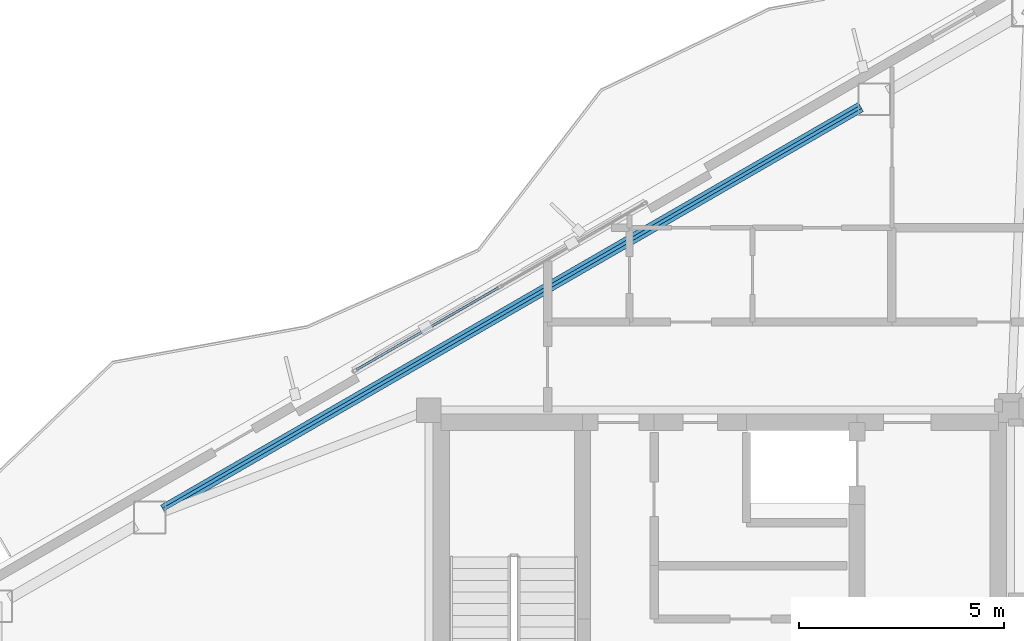
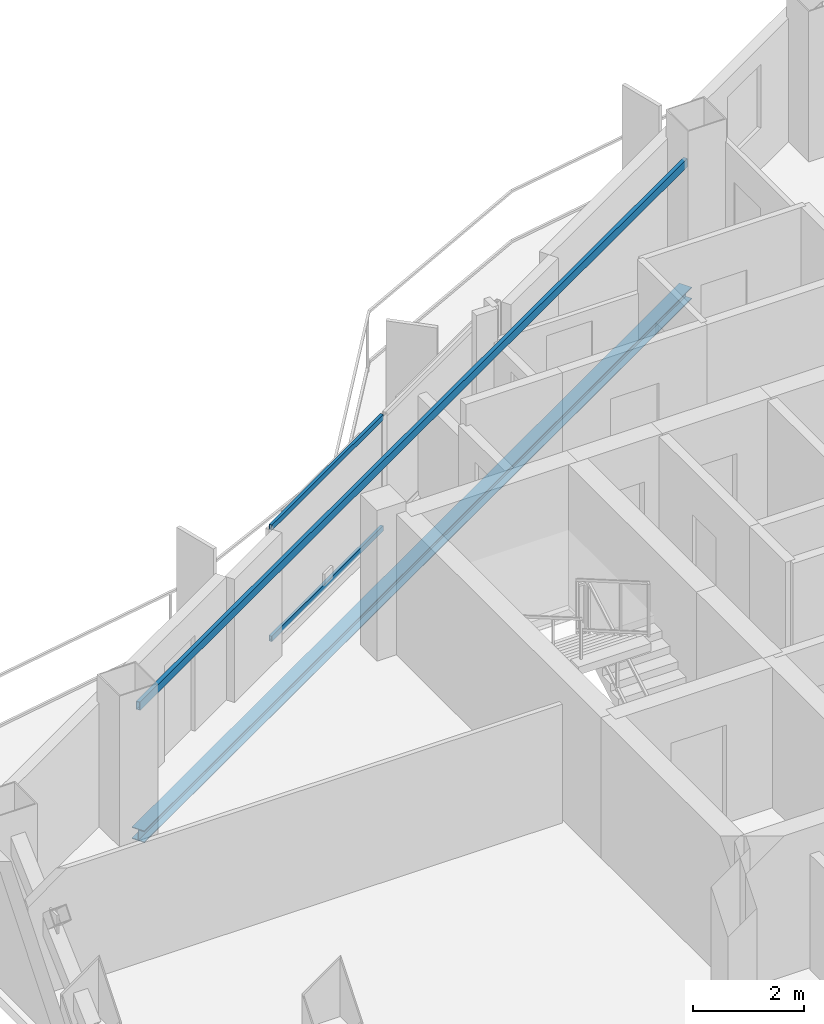
# One storey, part 9 of 18: 2 beams, 2 members, 1 element without a shape of its own.
"""IFC4 building model written with IfcOpenShell, lengths in metres."""

import ifcopenshell
import ifcopenshell.guid

model = None  # the IFC model being written
_history = None  # IfcOwnerHistory: only IFC2X3 demands one
_inside = {}  # id of a spatial element -> (the spatial element, [elements in it])
_under = {}  # id of a project, library or spatial element -> (it, [spatial elements below it])
_declared = {}  # id of a project -> (the project, [libraries it declares])
_typed = {}  # id of a type object -> (the type object, [elements of that type])
_made_of = {}  # id of a material, layer set ... -> (it, [elements and type objects made of it])


def new_model(schema):
    """Start an empty IFC model of exactly this schema.

    Asked for "IFC4X3", IfcOpenShell would pick the latest addendum, in which some entities
    have other attributes; the version numbers below select the first issue.
    IFC2X3 requires an IfcOwnerHistory on every rooted entity: one is made here for all.
    """
    global model, _history
    if schema == "IFC4X3":
        model = ifcopenshell.file(schema_version=(4, 3, 0, 0))
    else:
        model = ifcopenshell.file(schema=schema)
    _inside.clear()
    _under.clear()
    _declared.clear()
    _typed.clear()
    _made_of.clear()
    _history = None
    if model.schema == "IFC2X3":
        org = make("IfcOrganization", Name="unknown")
        user = make(
            "IfcPersonAndOrganization",
            ThePerson=make("IfcPerson", FamilyName="unknown"),
            TheOrganization=org,
        )
        app = make(
            "IfcApplication",
            ApplicationDeveloper=org,
            Version="unknown",
            ApplicationFullName="unknown",
            ApplicationIdentifier="unknown",
        )
        _history = make(
            "IfcOwnerHistory",
            OwningUser=user,
            OwningApplication=app,
            ChangeAction="ADDED",
            CreationDate=0,
        )
    return model


def make(cls, **values):
    """One entity of the class cls with the attributes given. An attribute that is None is left unset."""
    return model.create_entity(
        cls, **{name: value for name, value in values.items() if value is not None}
    )


def rooted(cls, **values):
    """An entity with a GlobalId (a new one), such as an element, a storey or a relation."""
    return make(cls, GlobalId=ifcopenshell.guid.new(), OwnerHistory=_history, **values)


def si_unit(unit_type, name, prefix=None):
    """IfcSIUnit, for example si_unit("LENGTHUNIT", "METRE", prefix="MILLI")."""
    return make("IfcSIUnit", UnitType=unit_type, Prefix=prefix, Name=name)


def assignment(units):
    """IfcUnitAssignment: the units of a project."""
    return None if units is None else make("IfcUnitAssignment", Units=units)


def point(xyz):
    """IfcCartesianPoint."""
    return None if xyz is None else make("IfcCartesianPoint", Coordinates=xyz)


def direction(xyz):
    """IfcDirection."""
    return None if xyz is None else make("IfcDirection", DirectionRatios=xyz)


def frame(location, z_axis=None, x_axis=None):
    """IfcAxis2Placement3D, a coordinate frame: its origin and axes. An axis left out is left unset."""
    return make(
        "IfcAxis2Placement3D",
        Location=point(location),
        Axis=direction(z_axis),
        RefDirection=direction(x_axis),
    )


def frame_2d(location, x_axis=None):
    """IfcAxis2Placement2D, a coordinate frame in the plane: its origin and x axis."""
    return make(
        "IfcAxis2Placement2D", Location=point(location), RefDirection=direction(x_axis)
    )


def origin():
    """The frame at (0, 0, 0) with its axes left unset."""
    return frame((0.0, 0.0, 0.0))


def origin_2d():
    """The frame at (0, 0) in the plane with its x axis left unset."""
    return frame_2d((0.0, 0.0))


def place(relative_to, where):
    """IfcLocalPlacement: puts the frame where relative to a parent placement (None: the world)."""
    return make(
        "IfcLocalPlacement", PlacementRelTo=relative_to, RelativePlacement=where
    )


def context(
    kind, dimensions, precision=None, world=None, true_north=None, identifier=None
):
    """IfcGeometricRepresentationContext, for example the 3D "Model" context."""
    return make(
        "IfcGeometricRepresentationContext",
        ContextIdentifier=identifier,
        ContextType=kind,
        CoordinateSpaceDimension=dimensions,
        Precision=precision,
        WorldCoordinateSystem=world,
        TrueNorth=true_north,
    )


def subcontext(parent, identifier, kind, view, scale=None):
    """IfcGeometricRepresentationSubContext, for example "Body" below "Model"."""
    return make(
        "IfcGeometricRepresentationSubContext",
        ContextIdentifier=identifier,
        ContextType=kind,
        ParentContext=parent,
        TargetScale=scale,
        TargetView=view,
    )


def project(units=None, contexts=None):
    """IfcProject with its units and contexts."""
    return rooted(
        "IfcProject",
        Name="project",
        RepresentationContexts=contexts,
        UnitsInContext=assignment(units),
    )


def spatial(cls, under=None, at=None, **own):
    """A site, building, storey or space (cls), placed at a placement, below another one or the project."""
    s = rooted(cls, ObjectPlacement=at, **own)
    if under is not None:
        _under.setdefault(under.id(), (under, []))[1].append(s)
    return s


def profile(cls, at=None, kind="AREA", **sizes):
    """A parametric profile (cls). Its sizes go by their IFC names, for example OverallWidth=200.0."""
    return make(cls, ProfileType=kind, Position=at, **sizes)


def hollow_rectangle(**sizes):
    """IfcRectangleHollowProfileDef."""
    return profile("IfcRectangleHollowProfileDef", **sizes)


def i_section(**sizes):
    """IfcIShapeProfileDef."""
    return profile("IfcIShapeProfileDef", **sizes)


def extrude(swept, where, along, depth):
    """IfcExtrudedAreaSolid: the profile swept, set in the frame where, extruded along a direction by depth."""
    return make(
        "IfcExtrudedAreaSolid",
        SweptArea=swept,
        Position=where,
        ExtrudedDirection=direction(along),
        Depth=depth,
    )


def shape(context_of_items, identifier, shape_type, items):
    """IfcShapeRepresentation: the items that make up one representation, for example the "Body"."""
    return make(
        "IfcShapeRepresentation",
        ContextOfItems=context_of_items,
        RepresentationIdentifier=identifier,
        RepresentationType=shape_type,
        Items=items,
    )


def material(Name=None, Category=None):
    """IfcMaterial."""
    return make("IfcMaterial", Name=Name, Category=Category)


def layer(
    of_material, thickness, ventilated=None, Name=None, Category=None, Priority=None
):
    """IfcMaterialLayer: one layer of a wall or slab, of a material (None: an air gap)."""
    return make(
        "IfcMaterialLayer",
        Material=of_material,
        LayerThickness=thickness,
        IsVentilated=ventilated,
        Name=Name,
        Category=Category,
        Priority=Priority,
    )


def layer_set(layers, Name=None):
    """IfcMaterialLayerSet."""
    return make("IfcMaterialLayerSet", MaterialLayers=layers, LayerSetName=Name)


def material_profile(
    of_material, cross_section, Name=None, Category=None, Priority=None
):
    """IfcMaterialProfile: a cross section and its material."""
    return make(
        "IfcMaterialProfile",
        Name=Name,
        Material=of_material,
        Profile=cross_section,
        Priority=Priority,
        Category=Category,
    )


def profile_set(profiles, Name=None, composite=None):
    """IfcMaterialProfileSet."""
    return make(
        "IfcMaterialProfileSet",
        Name=Name,
        MaterialProfiles=profiles,
        CompositeProfile=composite,
    )


def made_of(thing, what):
    """Note that an element or type object is made of a material, layer set ...; save() writes the relation."""
    if what is not None:
        _made_of.setdefault(what.id(), (what, []))[1].append(thing)
    return thing


def type_object(cls, material=None, **own):
    """A type object (cls), such as IfcWallType, which elements share."""
    return made_of(rooted(cls, **own), material)


def element(
    cls,
    number,
    at=None,
    inside=None,
    cuts=None,
    type_object=None,
    material=None,
    context=None,
    identifier="Body",
    shape_type=None,
    held_by="IfcProductDefinitionShape",
    body=None,
    shapes=None,
    **own,
):
    """One element of the class cls, such as IfcWall. Its Tag is "e" and its number.

    at: its placement. inside: the storey or other place that contains it. cuts: it is an
    opening in that element (IfcRelVoidsElement). A single representation is given by context,
    identifier, shape_type and body (its items); several are given by shapes. held_by: the class
    of the entity that holds the representations. save() writes the other relations.
    """
    e = rooted(cls, Tag="e%d" % number, ObjectPlacement=at, **own)
    if body is not None:
        shapes = [shape(context, identifier, shape_type, body)]
    if shapes is not None:
        e.Representation = make(held_by, Representations=shapes)
    if inside is not None:
        _inside.setdefault(inside.id(), (inside, []))[1].append(e)
    if cuts is not None:
        rooted(
            "IfcRelVoidsElement", RelatingBuildingElement=cuts, RelatedOpeningElement=e
        )
    if type_object is not None:
        _typed.setdefault(type_object.id(), (type_object, []))[1].append(e)
    return made_of(e, material)


def aggregate(whole, parts):
    """IfcRelAggregates: a whole, such as a stair, and the parts it consists of."""
    return rooted("IfcRelAggregates", RelatingObject=whole, RelatedObjects=parts)


def save(model, path):
    """Write the relations noted so far, then the file.

    IfcRelAggregates (storeys below a building ...), IfcRelContainedInSpatialStructure (elements
    in a storey), IfcRelDefinesByType, IfcRelAssociatesMaterial and IfcRelDeclares: one each for
    every whole, place, type object, material and project.
    """
    for whole, parts in _under.values():
        aggregate(whole, parts)
    for where, things in _inside.values():
        rooted(
            "IfcRelContainedInSpatialStructure",
            RelatedElements=things,
            RelatingStructure=where,
        )
    for kind, things in _typed.values():
        rooted("IfcRelDefinesByType", RelatedObjects=things, RelatingType=kind)
    for what, things in _made_of.values():
        rooted("IfcRelAssociatesMaterial", RelatedObjects=things, RelatingMaterial=what)
    for by, libraries in _declared.values():
        rooted("IfcRelDeclares", RelatingContext=by, RelatedDefinitions=libraries)
    model.write(path)


model = new_model("IFC4")

# Units and contexts
model_context = context("Model", 3, precision=1e-05, world=origin(), true_north=direction((0.0, 1.0)))
body_context = subcontext(model_context, "Body", "Model", "MODEL_VIEW")
ifc_project = project(units=[si_unit("LENGTHUNIT", "METRE"), si_unit("AREAUNIT", "SQUARE_METRE"), si_unit("VOLUMEUNIT", "CUBIC_METRE"), si_unit("PLANEANGLEUNIT", "RADIAN"), si_unit("MASSUNIT", "GRAM", prefix="KILO")], contexts=[model_context])

# Site, building, storey
site_placement = place(None, origin())
site = spatial("IfcSite", under=ifc_project, at=site_placement, CompositionType="ELEMENT")
building_placement = place(site_placement, origin())
building = spatial("IfcBuilding", under=site, at=building_placement, Name="Mersakhor Tower and Convention Hall", CompositionType="ELEMENT")
storey_placement = place(building_placement, frame((0.0, 0.0, 229.800048828125)))
storey = spatial("IfcBuildingStorey", under=building, at=storey_placement, Name="L64", CompositionType="ELEMENT", Elevation=229.800048828125)

# Beams
ifc_material_1 = material(Name="Steel S355", Category="steel")
ifc_material_profile_1 = material_profile(ifc_material_1, hollow_rectangle(XDim=0.080078125, YDim=0.179931640625, WallThickness=0.008056640625, at=origin_2d()), Name="RHS 180x80x8")
ifc_profile_set_1 = profile_set([ifc_material_profile_1], Name="Steel S355")
beam_type_1 = type_object("IfcBeamType", Name="BM-GRT-RHS180", PredefinedType="USERDEFINED", material=ifc_profile_set_1)
beam_1_placement = place(storey_placement, frame((15.414794921875, 30.618408203125, 2.47998046875), z_axis=(0.866021610626, 0.500006569886, 0.0), x_axis=(-0.500006569886, 0.866021610626, 0.0)))
element("IfcBeam", 1, at=beam_1_placement, inside=storey, type_object=beam_type_1, Name="L64 Facade Support Girt GRT-F1", ObjectType="GIRT", PredefinedType="USERDEFINED", context=body_context, shape_type="SweptSolid", body=[
    extrude(hollow_rectangle(XDim=0.080078125, YDim=0.179931640625, WallThickness=0.008056640625, at=origin_2d()), origin(), (0.0, 0.0, 1.0), 19.661865234375),
])
ifc_material_2 = material(Name="Steel S355", Category="steel")
ifc_material_profile_2 = material_profile(ifc_material_2, i_section(OverallWidth=0.25634765625, OverallDepth=0.26025390625, WebThickness=0.01025390625, FlangeThickness=0.017333984375, at=origin_2d()), Name="UC 254x254x89")
ifc_profile_set_2 = profile_set([ifc_material_profile_2], Name="Steel S355")
beam_type_2 = type_object("IfcBeamType", Name="BM-SPD-UC254", PredefinedType="SPANDREL", material=ifc_profile_set_2)
beam_2_placement = place(storey_placement, frame((15.414794921875, 30.618408203125, -0.35009765625), z_axis=(0.866021610626, 0.500006569886, 0.0), x_axis=(-0.500006569886, 0.866021610626, 0.0)))
element("IfcBeam", 2, at=beam_2_placement, inside=storey, type_object=beam_type_2, Name="L64 Perimeter Spandrel Beam SPB-02", PredefinedType="SPANDREL", context=body_context, shape_type="SweptSolid", body=[
    extrude(i_section(OverallWidth=0.25634765625, OverallDepth=0.26025390625, WebThickness=0.01025390625, FlangeThickness=0.017333984375, at=origin_2d()), origin(), (0.0, 0.0, 1.0), 19.661865234375),
])

# Curtain wall, members
ifc_material_3 = material(Name="Dark solar low-E aluminium curtain wall", Category="aluminium")
ifc_layer = layer(ifc_material_3, 0.179931640625)
ifc_layer_set = layer_set([ifc_layer], Name="Dark solar low-E aluminium curtain wall")
curtain_wall_type = type_object("IfcCurtainWallType", Name="CW-SYS-03", PredefinedType="USERDEFINED", material=ifc_layer_set)
curtain_wall_placement = place(storey_placement, origin())
curtain_wall = element("IfcCurtainWall", 3, at=curtain_wall_placement, inside=storey, type_object=curtain_wall_type, Name="L64 Dark-Glass Curtain Wall F1-B2", ObjectType="CURTAIN WALL", PredefinedType="USERDEFINED")
ifc_material_4 = material(Name="Anodised aluminium EN AW-6063 T6", Category="aluminium")
ifc_material_profile_3 = material_profile(ifc_material_4, hollow_rectangle(XDim=0.06005859375, YDim=0.1201171875, WallThickness=0.0048828125, at=origin_2d()), Name="RHS 120x60x5")
ifc_profile_set_3 = profile_set([ifc_material_profile_3], Name="Anodised aluminium EN AW-6063 T6")
member_type = type_object("IfcMemberType", Name="CWT-120x60", PredefinedType="USERDEFINED", material=ifc_profile_set_3)
member_1_placement = place(storey_placement, frame((20.130859375, 34.0341796875, 0.22998046875), z_axis=(0.866023018642, 0.500004131166, 0.0), x_axis=(-0.500004131166, 0.866023018642, 0.0)))
member_1 = element("IfcMember", 4, at=member_1_placement, type_object=member_type, Name="CW-03 transom 1.1", ObjectType="TRANSOM", PredefinedType="USERDEFINED", context=body_context, shape_type="SweptSolid", body=[
    extrude(hollow_rectangle(XDim=0.06005859375, YDim=0.1201171875, WallThickness=0.0048828125, at=origin_2d()), origin(), (0.0, 0.0, 1.0), 4.00146484375),
])
member_2_placement = place(storey_placement, frame((20.130859375, 34.0341796875, 2.669921875), z_axis=(0.866023018642, 0.500004131166, 0.0), x_axis=(-0.500004131166, 0.866023018642, 0.0)))
member_2 = element("IfcMember", 5, at=member_2_placement, type_object=member_type, Name="CW-03 transom 1.2", ObjectType="TRANSOM", PredefinedType="USERDEFINED", context=body_context, shape_type="SweptSolid", body=[
    extrude(hollow_rectangle(XDim=0.06005859375, YDim=0.1201171875, WallThickness=0.0048828125, at=origin_2d()), origin(), (0.0, 0.0, 1.0), 4.00146484375),
])
aggregate(curtain_wall, [member_1, member_2])

save(model, "model.ifc")
